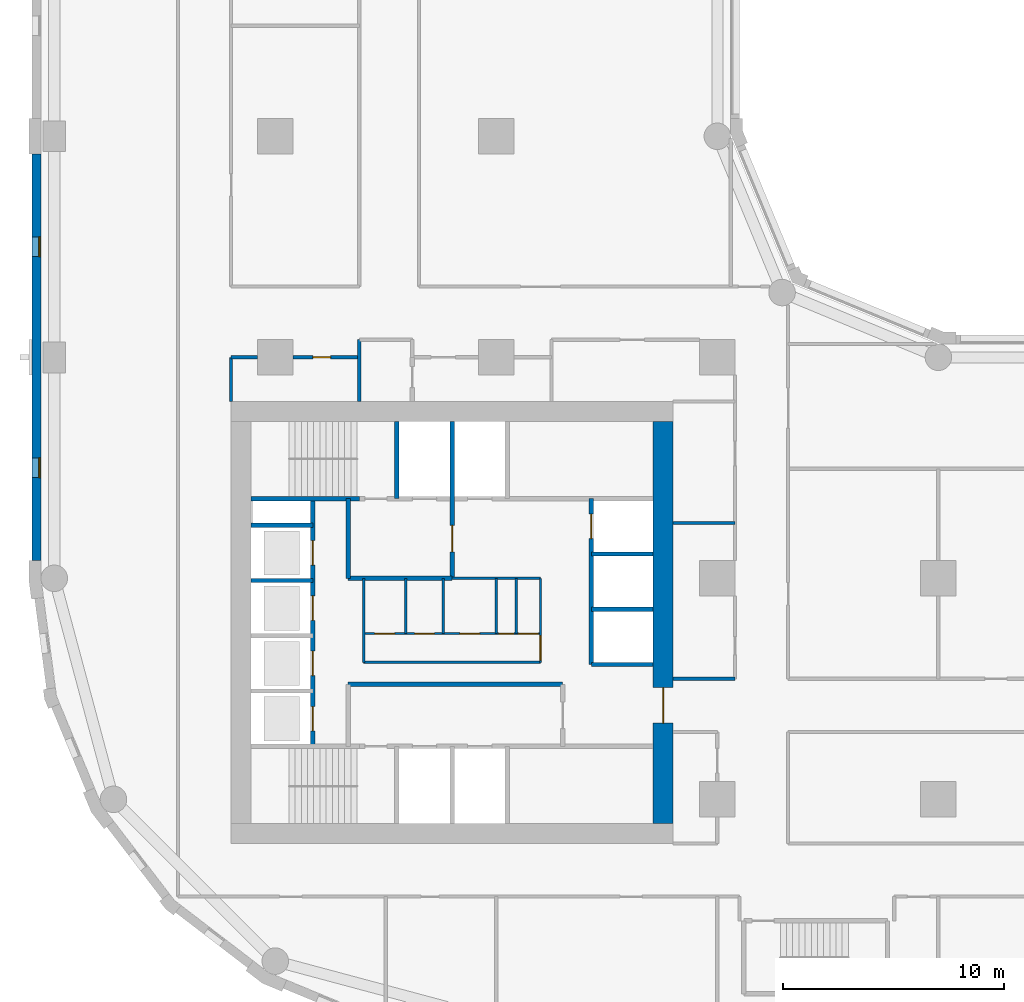
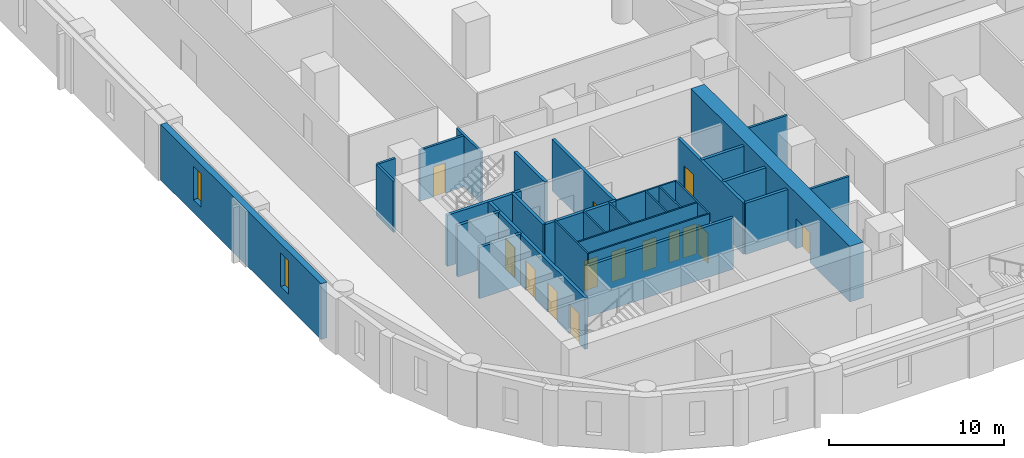
# One storey, part 3 of 11: 30 walls, 14 doors, 2 windows, 16 openings.
"""IFC4 building model written with IfcOpenShell, lengths in metres."""

from ifc_helpers import new_model, si_unit, direction, frame, frame_2d, origin, place, context, subcontext, project, spatial, rectangle, extrude, material, layer, layer_set, type_object, element, fill, save


model = new_model("IFC4")

# Units and contexts
model_context = context("Model", 3, precision=1e-05, world=origin(), true_north=direction((0.0, 1.0)))
body_context = subcontext(model_context, "Body", "Model", "MODEL_VIEW")
ifc_project = project(units=[si_unit("LENGTHUNIT", "METRE"), si_unit("AREAUNIT", "SQUARE_METRE"), si_unit("VOLUMEUNIT", "CUBIC_METRE"), si_unit("PLANEANGLEUNIT", "RADIAN"), si_unit("MASSUNIT", "GRAM", prefix="KILO")], contexts=[model_context])

# Site, building, storey
site_placement = place(None, origin())
site = spatial("IfcSite", under=ifc_project, at=site_placement, CompositionType="ELEMENT")
building_placement = place(site_placement, origin())
building = spatial("IfcBuilding", under=site, at=building_placement, Name="Qaws Garden Tower", CompositionType="ELEMENT")
storey_placement = place(building_placement, frame((0.0, 0.0, 86.10009765625)))
storey = spatial("IfcBuildingStorey", under=building, at=storey_placement, Name="L21", CompositionType="ELEMENT", Elevation=86.10009765625)

# Wall, openings, windows
ifc_material_1 = material(Name="Clay facing brick masonry", Category="masonry")
ifc_layer_1 = layer(ifc_material_1, 0.39990234375)
ifc_layer_set_1 = layer_set([ifc_layer_1], Name="Clay facing brick masonry")
wall_type_1 = type_object("IfcWallType", Name="Brick infill wall 400", PredefinedType="SOLIDWALL", material=ifc_layer_set_1)
wall_1_placement = place(storey_placement, frame((-0.800048828125, 39.199951171875, 0.0), z_axis=(0.0, 0.0, 1.0), x_axis=(0.0, -1.0, 0.0)))
wall_1 = element("IfcWall", 1, at=wall_1_placement, inside=storey, type_object=wall_type_1, Name="E-L21-infill-25", PredefinedType="SOLIDWALL", context=body_context, shape_type="SweptSolid", body=[
    extrude(rectangle(XDim=18.39990234375, YDim=0.39990234375, at=frame_2d((9.199951171875, 0.0))), origin(), (0.0, 0.0, 1.0), 3.89990234375),
])
opening_1_placement = place(wall_1_placement, frame((3.75, 0.0, 0.89990234375)))
opening_1 = element("IfcOpeningElement", 2, at=opening_1_placement, cuts=wall_1, Name="Opening W09", PredefinedType="OPENING", context=body_context, shape_type="SweptSolid", body=[
    extrude(rectangle(XDim=0.89990234375, YDim=2.35009765625, at=frame_2d((0.449951171875, 1.175048828125))), frame((0.0, 0.2099609375, 0.0), z_axis=(0.0, -1.0, 0.0), x_axis=(1.0, 0.0, 0.0)), (0.0, 0.0, 1.0), 0.419921875),
])
opening_2_placement = place(wall_1_placement, frame((13.75, 0.0, 0.89990234375)))
opening_2 = element("IfcOpeningElement", 3, at=opening_2_placement, cuts=wall_1, Name="Opening W09", PredefinedType="OPENING", context=body_context, shape_type="SweptSolid", body=[
    extrude(rectangle(XDim=0.89990234375, YDim=2.35009765625, at=frame_2d((0.449951171875, 1.175048828125))), frame((0.0, 0.2099609375, 0.0), z_axis=(0.0, -1.0, 0.0), x_axis=(1.0, 0.0, 0.0)), (0.0, 0.0, 1.0), 0.419921875),
])
ifc_material_2 = material(Name="Aluminium framed window, clear glazing", Category="aluminium")
window_type = type_object("IfcWindowType", Name="Slit window 900 x 2350", PartitioningType="SINGLE_PANEL", PredefinedType="WINDOW", material=ifc_material_2)
window_1_placement = place(opening_1_placement, origin())
window_1 = element("IfcWindow", 4, at=window_1_placement, inside=storey, type_object=window_type, Name="E-L21-window-25-0", OverallHeight=2.35009765625, OverallWidth=0.89990234375, PartitioningType="SINGLE_PANEL", PredefinedType="WINDOW", context=body_context, shape_type="SweptSolid", body=[
    extrude(rectangle(XDim=0.89990234375, YDim=2.35009765625, at=frame_2d((0.449951171875, 1.175048828125))), frame((0.0, 0.159912109375, 0.0), z_axis=(0.0, -1.0, 0.0), x_axis=(1.0, 0.0, 0.0)), (0.0, 0.0, 1.0), 0.06005859375),
])
fill(opening_1, window_1)
window_2_placement = place(opening_2_placement, origin())
window_2 = element("IfcWindow", 5, at=window_2_placement, inside=storey, type_object=window_type, Name="E-L21-window-26-0", OverallHeight=2.35009765625, OverallWidth=0.89990234375, PartitioningType="SINGLE_PANEL", PredefinedType="WINDOW", context=body_context, shape_type="SweptSolid", body=[
    extrude(rectangle(XDim=0.89990234375, YDim=2.35009765625, at=frame_2d((0.449951171875, 1.175048828125))), frame((0.0, 0.159912109375, 0.0), z_axis=(0.0, -1.0, 0.0), x_axis=(1.0, 0.0, 0.0)), (0.0, 0.0, 1.0), 0.06005859375),
])
fill(opening_2, window_2)

# Wall
ifc_material_3 = material(Name="Plasterboard")
ifc_layer_2 = layer(ifc_material_3, 0.10009765625)
ifc_layer_set_2 = layer_set([ifc_layer_2], Name="Plasterboard")
wall_type_2 = type_object("IfcWallType", Name="Core partition 100", PredefinedType="PARTITIONING", material=ifc_layer_set_2)
wall_2_placement = place(storey_placement, frame((14.0, 16.199951171875, 0.0), z_axis=(0.0, 0.0, 1.0), x_axis=(1.0, 0.0, 0.0)))
element("IfcWall", 6, at=wall_2_placement, inside=storey, type_object=wall_type_2, Name="Core partition", PredefinedType="PARTITIONING", context=body_context, shape_type="SweptSolid", body=[
    extrude(rectangle(XDim=8.0, YDim=0.10009765625, at=frame_2d((4.0, 0.0))), origin(), (0.0, 0.0, 1.0), 3.579833984375),
])

# Wall, openings, doors
wall_3_placement = place(storey_placement, frame((14.0, 17.5, 0.0), z_axis=(0.0, 0.0, 1.0), x_axis=(1.0, 0.0, 0.0)))
wall_3 = element("IfcWall", 7, at=wall_3_placement, inside=storey, type_object=wall_type_2, Name="Core partition", PredefinedType="PARTITIONING", context=body_context, shape_type="SweptSolid", body=[
    extrude(rectangle(XDim=8.0, YDim=0.10009765625, at=frame_2d((4.0, 0.0))), origin(), (0.0, 0.0, 1.0), 3.579833984375),
])
opening_3_placement = place(wall_3_placement, frame((0.5, 0.0, 0.0)))
opening_3 = element("IfcOpeningElement", 8, at=opening_3_placement, cuts=wall_3, Name="Opening WD18", PredefinedType="OPENING", context=body_context, shape_type="SweptSolid", body=[
    extrude(rectangle(XDim=0.89990234375, YDim=2.10009765625, at=frame_2d((0.449951171875, 1.050048828125))), frame((0.0, 0.06005859375, 0.0), z_axis=(0.0, -1.0, 0.0), x_axis=(1.0, 0.0, 0.0)), (0.0, 0.0, 1.0), 0.1201171875),
])
opening_4_placement = place(wall_3_placement, frame((2.300048828125, 0.0, 0.0)))
opening_4 = element("IfcOpeningElement", 9, at=opening_4_placement, cuts=wall_3, Name="Opening WD19", PredefinedType="OPENING", context=body_context, shape_type="SweptSolid", body=[
    extrude(rectangle(XDim=0.89990234375, YDim=2.10009765625, at=frame_2d((0.449951171875, 1.050048828125))), frame((0.0, 0.06005859375, 0.0), z_axis=(0.0, -1.0, 0.0), x_axis=(1.0, 0.0, 0.0)), (0.0, 0.0, 1.0), 0.1201171875),
])
opening_5_placement = place(wall_3_placement, frame((4.35009765625, 0.0, 0.0)))
opening_5 = element("IfcOpeningElement", 10, at=opening_5_placement, cuts=wall_3, Name="Opening WD20", PredefinedType="OPENING", context=body_context, shape_type="SweptSolid", body=[
    extrude(rectangle(XDim=0.89990234375, YDim=2.10009765625, at=frame_2d((0.449951171875, 1.050048828125))), frame((0.0, 0.06005859375, 0.0), z_axis=(0.0, -1.0, 0.0), x_axis=(1.0, 0.0, 0.0)), (0.0, 0.0, 1.0), 0.1201171875),
])
opening_6_placement = place(wall_3_placement, frame((6.10009765625, 0.0, 0.0)))
opening_6 = element("IfcOpeningElement", 11, at=opening_6_placement, cuts=wall_3, Name="Opening XD21", PredefinedType="OPENING", context=body_context, shape_type="SweptSolid", body=[
    extrude(rectangle(XDim=0.699951171875, YDim=2.10009765625, at=frame_2d((0.35009765625, 1.050048828125))), frame((0.0, 0.06005859375, 0.0), z_axis=(0.0, -1.0, 0.0), x_axis=(1.0, 0.0, 0.0)), (0.0, 0.0, 1.0), 0.1201171875),
])
opening_7_placement = place(wall_3_placement, frame((7.0, 0.0, 0.0)))
opening_7 = element("IfcOpeningElement", 12, at=opening_7_placement, cuts=wall_3, Name="Opening WD22", PredefinedType="OPENING", context=body_context, shape_type="SweptSolid", body=[
    extrude(rectangle(XDim=0.89990234375, YDim=2.10009765625, at=frame_2d((0.449951171875, 1.050048828125))), frame((0.0, 0.06005859375, 0.0), z_axis=(0.0, -1.0, 0.0), x_axis=(1.0, 0.0, 0.0)), (0.0, 0.0, 1.0), 0.1201171875),
])
ifc_material_4 = material(Name="Timber", Category="wood")
door_type_1 = type_object("IfcDoorType", Name="Store door 700x2100", OperationType="SINGLE_SWING_LEFT", PredefinedType="DOOR", material=ifc_material_4)
door_1_placement = place(opening_6_placement, origin())
door_1 = element("IfcDoor", 13, at=door_1_placement, inside=storey, type_object=door_type_1, Name="Cleaner's store door", OperationType="SINGLE_SWING_RIGHT", OverallHeight=2.10009765625, OverallWidth=0.699951171875, PredefinedType="DOOR", context=body_context, shape_type="SweptSolid", body=[
    extrude(rectangle(XDim=0.699951171875, YDim=2.10009765625, at=frame_2d((0.35009765625, 1.050048828125))), frame((0.0, 0.02490234375, 0.0), z_axis=(0.0, -1.0, 0.0), x_axis=(1.0, 0.0, 0.0)), (0.0, 0.0, 1.0), 0.050048828125),
])
fill(opening_6, door_1)
ifc_material_5 = material(Name="Timber", Category="wood")
door_type_2 = type_object("IfcDoorType", Name="WC door 900x2100", OperationType="SINGLE_SWING_LEFT", PredefinedType="DOOR", material=ifc_material_5)
door_2_placement = place(opening_3_placement, origin())
door_2 = element("IfcDoor", 14, at=door_2_placement, inside=storey, type_object=door_type_2, Name="Men's WC door", OperationType="SINGLE_SWING_RIGHT", OverallHeight=2.10009765625, OverallWidth=0.89990234375, PredefinedType="DOOR", context=body_context, shape_type="SweptSolid", body=[
    extrude(rectangle(XDim=0.89990234375, YDim=2.10009765625, at=frame_2d((0.449951171875, 1.050048828125))), frame((0.0, 0.02490234375, 0.0), z_axis=(0.0, -1.0, 0.0), x_axis=(1.0, 0.0, 0.0)), (0.0, 0.0, 1.0), 0.050048828125),
])
fill(opening_3, door_2)
door_3_placement = place(opening_4_placement, origin())
door_3 = element("IfcDoor", 15, at=door_3_placement, inside=storey, type_object=door_type_2, Name="Accessible WC door", OperationType="SINGLE_SWING_RIGHT", OverallHeight=2.10009765625, OverallWidth=0.89990234375, PredefinedType="DOOR", context=body_context, shape_type="SweptSolid", body=[
    extrude(rectangle(XDim=0.89990234375, YDim=2.10009765625, at=frame_2d((0.449951171875, 1.050048828125))), frame((0.0, 0.02490234375, 0.0), z_axis=(0.0, -1.0, 0.0), x_axis=(1.0, 0.0, 0.0)), (0.0, 0.0, 1.0), 0.050048828125),
])
fill(opening_4, door_3)
door_4_placement = place(opening_5_placement, origin())
door_4 = element("IfcDoor", 16, at=door_4_placement, inside=storey, type_object=door_type_2, Name="Women's WC door", OperationType="SINGLE_SWING_RIGHT", OverallHeight=2.10009765625, OverallWidth=0.89990234375, PredefinedType="DOOR", context=body_context, shape_type="SweptSolid", body=[
    extrude(rectangle(XDim=0.89990234375, YDim=2.10009765625, at=frame_2d((0.449951171875, 1.050048828125))), frame((0.0, 0.02490234375, 0.0), z_axis=(0.0, -1.0, 0.0), x_axis=(1.0, 0.0, 0.0)), (0.0, 0.0, 1.0), 0.050048828125),
])
fill(opening_5, door_4)
door_5_placement = place(opening_7_placement, origin())
door_5 = element("IfcDoor", 17, at=door_5_placement, inside=storey, type_object=door_type_2, Name="Linen store door", OperationType="SINGLE_SWING_RIGHT", OverallHeight=2.10009765625, OverallWidth=0.89990234375, PredefinedType="DOOR", context=body_context, shape_type="SweptSolid", body=[
    extrude(rectangle(XDim=0.89990234375, YDim=2.10009765625, at=frame_2d((0.449951171875, 1.050048828125))), frame((0.0, 0.02490234375, 0.0), z_axis=(0.0, -1.0, 0.0), x_axis=(1.0, 0.0, 0.0)), (0.0, 0.0, 1.0), 0.050048828125),
])
fill(opening_7, door_5)

# Walls
wall_4_placement = place(storey_placement, frame((18.0, 20.0, 0.0), z_axis=(0.0, 0.0, 1.0), x_axis=(1.0, 0.0, 0.0)))
element("IfcWall", 18, at=wall_4_placement, inside=storey, type_object=wall_type_2, Name="Core partition", PredefinedType="PARTITIONING", context=body_context, shape_type="SweptSolid", body=[
    extrude(rectangle(XDim=4.0, YDim=0.10009765625, at=frame_2d((2.0, 0.0))), origin(), (0.0, 0.0, 1.0), 3.579833984375),
])
wall_5_placement = place(storey_placement, frame((14.0, 16.199951171875, 0.0), z_axis=(0.0, 0.0, 1.0), x_axis=(0.0, 1.0, 0.0)))
element("IfcWall", 19, at=wall_5_placement, inside=storey, type_object=wall_type_2, Name="Core partition", PredefinedType="PARTITIONING", context=body_context, shape_type="SweptSolid", body=[
    extrude(rectangle(XDim=3.800048828125, YDim=0.10009765625, at=frame_2d((1.89990234375, 0.0))), origin(), (0.0, 0.0, 1.0), 3.579833984375),
])
for number, where, z_axis, x_axis, name in (
    (20, (15.89990234375, 17.5, 0.0), (0.0, 0.0, 1.0), (0.0, 1.0, 0.0), "Core partition"),
    (21, (17.60009765625, 17.5, 0.0), (0.0, 0.0, 1.0), (0.0, 1.0, 0.0), "Core partition"),
    (22, (20.0, 17.5, 0.0), (0.0, 0.0, 1.0), (0.0, 1.0, 0.0), "Core partition"),
    (23, (20.89990234375, 17.5, 0.0), (0.0, 0.0, 1.0), (0.0, 1.0, 0.0), "Core partition"),
):
    element("IfcWall", number, at=place(storey_placement, frame(where, z_axis=z_axis, x_axis=x_axis)), inside=storey, type_object=wall_type_2, Name=name, PredefinedType="PARTITIONING", context=body_context, shape_type="SweptSolid", body=[
        extrude(rectangle(XDim=2.5, YDim=0.10009765625, at=frame_2d((1.25, 0.0))), origin(), (0.0, 0.0, 1.0), 3.579833984375),
    ])

# Wall, opening, door
wall_6_placement = place(storey_placement, frame((22.0, 16.199951171875, 0.0), z_axis=(0.0, 0.0, 1.0), x_axis=(0.0, 1.0, 0.0)))
wall_6 = element("IfcWall", 24, at=wall_6_placement, inside=storey, type_object=wall_type_2, Name="Core partition", PredefinedType="PARTITIONING", context=body_context, shape_type="SweptSolid", body=[
    extrude(rectangle(XDim=3.800048828125, YDim=0.10009765625, at=frame_2d((1.89990234375, 0.0))), origin(), (0.0, 0.0, 1.0), 3.579833984375),
])
opening_8_placement = place(wall_6_placement, frame((0.10009765625, 0.0, 0.0)))
opening_8 = element("IfcOpeningElement", 25, at=opening_8_placement, cuts=wall_6, Name="Opening WL17", PredefinedType="OPENING", context=body_context, shape_type="SweptSolid", body=[
    extrude(rectangle(XDim=1.10009765625, YDim=2.10009765625, at=frame_2d((0.550048828125, 1.050048828125))), frame((0.0, 0.06005859375, 0.0), z_axis=(0.0, -1.0, 0.0), x_axis=(1.0, 0.0, 0.0)), (0.0, 0.0, 1.0), 0.1201171875),
])
ifc_material_6 = material(Name="Timber", Category="wood")
door_type_3 = type_object("IfcDoorType", Name="WC lobby door 1100x2100", OperationType="SINGLE_SWING_LEFT", PredefinedType="DOOR", material=ifc_material_6)
door_6_placement = place(opening_8_placement, origin())
door_6 = element("IfcDoor", 26, at=door_6_placement, inside=storey, type_object=door_type_3, Name="WC lobby door", OperationType="SINGLE_SWING_RIGHT", OverallHeight=2.10009765625, OverallWidth=1.10009765625, PredefinedType="DOOR", context=body_context, shape_type="SweptSolid", body=[
    extrude(rectangle(XDim=1.10009765625, YDim=2.10009765625, at=frame_2d((0.550048828125, 1.050048828125))), frame((0.0, 0.02490234375, 0.0), z_axis=(0.0, -1.0, 0.0), x_axis=(1.0, 0.0, 0.0)), (0.0, 0.0, 1.0), 0.050048828125),
])
fill(opening_8, door_6)

# Walls
ifc_material_7 = material(Name="Concrete C80", Category="concrete")
ifc_layer_3 = layer(ifc_material_7, 0.199951171875)
ifc_layer_set_3 = layer_set([ifc_layer_3], Name="Concrete C80")
wall_type_3 = type_object("IfcWallType", Name="Core shaft wall 200 C80", PredefinedType="SHEAR", material=ifc_layer_set_3)
wall_7_placement = place(storey_placement, frame((13.300048828125, 15.199951171875, 0.0), z_axis=(0.0, 0.0, 1.0), x_axis=(1.0, 0.0, 0.0)))
element("IfcWall", 27, at=wall_7_placement, inside=storey, type_object=wall_type_3, Name="Shaft wall", PredefinedType="SHEAR", context=body_context, shape_type="SweptSolid", body=[
    extrude(rectangle(XDim=9.699951171875, YDim=0.199951171875, at=frame_2d((4.85009765625, 0.0))), origin(), (0.0, 0.0, 1.0), 3.579833984375),
])
for number, where, z_axis, x_axis, name in (
    (28, (24.300048828125, 16.10009765625, 0.0), (0.0, 0.0, 1.0), (1.0, 0.0, 0.0), "Shaft wall"),
    (29, (24.300048828125, 18.60009765625, 0.0), (0.0, 0.0, 1.0), (1.0, 0.0, 0.0), "Shaft wall"),
    (30, (8.89990234375, 19.89990234375, 0.0), (0.0, 0.0, 1.0), (1.0, 0.0, 0.0), "Shaft wall"),
):
    element("IfcWall", number, at=place(storey_placement, frame(where, z_axis=z_axis, x_axis=x_axis)), inside=storey, type_object=wall_type_3, Name=name, PredefinedType="SHEAR", context=body_context, shape_type="SweptSolid", body=[
        extrude(rectangle(XDim=2.800048828125, YDim=0.199951171875, at=frame_2d((1.39990234375, 0.0))), origin(), (0.0, 0.0, 1.0), 3.579833984375),
    ])
wall_8_placement = place(storey_placement, frame((13.300048828125, 20.0, 0.0), z_axis=(0.0, 0.0, 1.0), x_axis=(1.0, 0.0, 0.0)))
element("IfcWall", 31, at=wall_8_placement, inside=storey, type_object=wall_type_3, Name="Shaft wall", PredefinedType="SHEAR", context=body_context, shape_type="SweptSolid", body=[
    extrude(rectangle(XDim=4.699951171875, YDim=0.199951171875, at=frame_2d((2.35009765625, 0.0))), origin(), (0.0, 0.0, 1.0), 3.579833984375),
])
for number, where, z_axis, x_axis, name in (
    (32, (24.300048828125, 21.10009765625, 0.0), (0.0, 0.0, 1.0), (1.0, 0.0, 0.0), "Shaft wall"),
    (33, (8.89990234375, 22.39990234375, 0.0), (0.0, 0.0, 1.0), (1.0, 0.0, 0.0), "Shaft wall"),
):
    element("IfcWall", number, at=place(storey_placement, frame(where, z_axis=z_axis, x_axis=x_axis)), inside=storey, type_object=wall_type_3, Name=name, PredefinedType="SHEAR", context=body_context, shape_type="SweptSolid", body=[
        extrude(rectangle(XDim=2.800048828125, YDim=0.199951171875, at=frame_2d((1.39990234375, 0.0))), origin(), (0.0, 0.0, 1.0), 3.579833984375),
    ])
wall_9_placement = place(storey_placement, frame((8.89990234375, 23.60009765625, 0.0), z_axis=(0.0, 0.0, 1.0), x_axis=(1.0, 0.0, 0.0)))
element("IfcWall", 34, at=wall_9_placement, inside=storey, type_object=wall_type_3, Name="Shaft wall", PredefinedType="SHEAR", context=body_context, shape_type="SweptSolid", body=[
    extrude(rectangle(XDim=4.900146484375, YDim=0.199951171875, at=frame_2d((2.4501953125, 0.0))), origin(), (0.0, 0.0, 1.0), 3.579833984375),
])

# Wall, openings, doors
wall_10_placement = place(storey_placement, frame((11.699951171875, 12.39990234375, 0.0), z_axis=(0.0, 0.0, 1.0), x_axis=(0.0, 1.0, 0.0)))
wall_10 = element("IfcWall", 35, at=wall_10_placement, inside=storey, type_object=wall_type_3, Name="Shaft wall", PredefinedType="SHEAR", context=body_context, shape_type="SweptSolid", body=[
    extrude(rectangle(XDim=11.2001953125, YDim=0.199951171875, at=frame_2d((5.60009765625, 0.0))), origin(), (0.0, 0.0, 1.0), 3.579833984375),
])
opening_9_placement = place(wall_10_placement, frame((0.699951171875, 0.0, 0.0)))
opening_9 = element("IfcOpeningElement", 36, at=opening_9_placement, cuts=wall_10, Name="Opening LD01", PredefinedType="OPENING", context=body_context, shape_type="SweptSolid", body=[
    extrude(rectangle(XDim=1.10009765625, YDim=2.10009765625, at=frame_2d((0.550048828125, 1.050048828125))), frame((0.0, 0.10986328125, 0.0), z_axis=(0.0, -1.0, 0.0), x_axis=(1.0, 0.0, 0.0)), (0.0, 0.0, 1.0), 0.219970703125),
])
opening_10_placement = place(wall_10_placement, frame((3.199951171875, 0.0, 0.0)))
opening_10 = element("IfcOpeningElement", 37, at=opening_10_placement, cuts=wall_10, Name="Opening LD02", PredefinedType="OPENING", context=body_context, shape_type="SweptSolid", body=[
    extrude(rectangle(XDim=1.10009765625, YDim=2.10009765625, at=frame_2d((0.550048828125, 1.050048828125))), frame((0.0, 0.10986328125, 0.0), z_axis=(0.0, -1.0, 0.0), x_axis=(1.0, 0.0, 0.0)), (0.0, 0.0, 1.0), 0.219970703125),
])
opening_11_placement = place(wall_10_placement, frame((5.699951171875, 0.0, 0.0)))
opening_11 = element("IfcOpeningElement", 38, at=opening_11_placement, cuts=wall_10, Name="Opening LD03", PredefinedType="OPENING", context=body_context, shape_type="SweptSolid", body=[
    extrude(rectangle(XDim=1.10009765625, YDim=2.10009765625, at=frame_2d((0.550048828125, 1.050048828125))), frame((0.0, 0.10986328125, 0.0), z_axis=(0.0, -1.0, 0.0), x_axis=(1.0, 0.0, 0.0)), (0.0, 0.0, 1.0), 0.219970703125),
])
opening_12_placement = place(wall_10_placement, frame((8.199951171875, 0.0, 0.0)))
opening_12 = element("IfcOpeningElement", 39, at=opening_12_placement, cuts=wall_10, Name="Opening LD04", PredefinedType="OPENING", context=body_context, shape_type="SweptSolid", body=[
    extrude(rectangle(XDim=1.10009765625, YDim=2.10009765625, at=frame_2d((0.550048828125, 1.050048828125))), frame((0.0, 0.10986328125, 0.0), z_axis=(0.0, -1.0, 0.0), x_axis=(1.0, 0.0, 0.0)), (0.0, 0.0, 1.0), 0.219970703125),
])
ifc_material_8 = material(Name="Steel S235", Category="steel")
door_type_4 = type_object("IfcDoorType", Name="Landing door 1100x2100", OperationType="DOUBLE_DOOR_SLIDING", PredefinedType="DOOR", material=ifc_material_8)
door_7_placement = place(opening_9_placement, origin())
door_7 = element("IfcDoor", 40, at=door_7_placement, inside=storey, type_object=door_type_4, Name="Lift W1 landing door", OperationType="DOUBLE_DOOR_SLIDING", OverallHeight=2.10009765625, OverallWidth=1.10009765625, PredefinedType="DOOR", context=body_context, shape_type="SweptSolid", body=[
    extrude(rectangle(XDim=1.10009765625, YDim=2.10009765625, at=frame_2d((0.550048828125, 1.050048828125))), frame((0.0, 0.02490234375, 0.0), z_axis=(0.0, -1.0, 0.0), x_axis=(1.0, 0.0, 0.0)), (0.0, 0.0, 1.0), 0.050048828125),
])
fill(opening_9, door_7)
door_8_placement = place(opening_10_placement, origin())
door_8 = element("IfcDoor", 41, at=door_8_placement, inside=storey, type_object=door_type_4, Name="Lift W2 landing door", OperationType="DOUBLE_DOOR_SLIDING", OverallHeight=2.10009765625, OverallWidth=1.10009765625, PredefinedType="DOOR", context=body_context, shape_type="SweptSolid", body=[
    extrude(rectangle(XDim=1.10009765625, YDim=2.10009765625, at=frame_2d((0.550048828125, 1.050048828125))), frame((0.0, 0.02490234375, 0.0), z_axis=(0.0, -1.0, 0.0), x_axis=(1.0, 0.0, 0.0)), (0.0, 0.0, 1.0), 0.050048828125),
])
fill(opening_10, door_8)
door_9_placement = place(opening_11_placement, origin())
door_9 = element("IfcDoor", 42, at=door_9_placement, inside=storey, type_object=door_type_4, Name="Lift W3 landing door", OperationType="DOUBLE_DOOR_SLIDING", OverallHeight=2.10009765625, OverallWidth=1.10009765625, PredefinedType="DOOR", context=body_context, shape_type="SweptSolid", body=[
    extrude(rectangle(XDim=1.10009765625, YDim=2.10009765625, at=frame_2d((0.550048828125, 1.050048828125))), frame((0.0, 0.02490234375, 0.0), z_axis=(0.0, -1.0, 0.0), x_axis=(1.0, 0.0, 0.0)), (0.0, 0.0, 1.0), 0.050048828125),
])
fill(opening_11, door_9)
door_10_placement = place(opening_12_placement, origin())
door_10 = element("IfcDoor", 43, at=door_10_placement, inside=storey, type_object=door_type_4, Name="Lift W4 landing door", OperationType="DOUBLE_DOOR_SLIDING", OverallHeight=2.10009765625, OverallWidth=1.10009765625, PredefinedType="DOOR", context=body_context, shape_type="SweptSolid", body=[
    extrude(rectangle(XDim=1.10009765625, YDim=2.10009765625, at=frame_2d((0.550048828125, 1.050048828125))), frame((0.0, 0.02490234375, 0.0), z_axis=(0.0, -1.0, 0.0), x_axis=(1.0, 0.0, 0.0)), (0.0, 0.0, 1.0), 0.050048828125),
])
fill(opening_12, door_10)

# Walls
wall_11_placement = place(storey_placement, frame((13.300048828125, 20.0, 0.0), z_axis=(0.0, 0.0, 1.0), x_axis=(0.0, 1.0, 0.0)))
element("IfcWall", 44, at=wall_11_placement, inside=storey, type_object=wall_type_3, Name="Shaft wall", PredefinedType="SHEAR", context=body_context, shape_type="SweptSolid", body=[
    extrude(rectangle(XDim=3.60009765625, YDim=0.199951171875, at=frame_2d((1.800048828125, 0.0))), origin(), (0.0, 0.0, 1.0), 3.579833984375),
])
wall_12_placement = place(storey_placement, frame((15.5, 23.60009765625, 0.0), z_axis=(0.0, 0.0, 1.0), x_axis=(0.0, 1.0, 0.0)))
element("IfcWall", 45, at=wall_12_placement, inside=storey, type_object=wall_type_3, Name="Shaft wall", PredefinedType="SHEAR", context=body_context, shape_type="SweptSolid", body=[
    extrude(rectangle(XDim=3.5, YDim=0.199951171875, at=frame_2d((1.75, 0.0))), origin(), (0.0, 0.0, 1.0), 3.579833984375),
])

# Wall, opening, door
wall_13_placement = place(storey_placement, frame((18.0, 20.0, 0.0), z_axis=(0.0, 0.0, 1.0), x_axis=(0.0, 1.0, 0.0)))
wall_13 = element("IfcWall", 46, at=wall_13_placement, inside=storey, type_object=wall_type_3, Name="Shaft wall", PredefinedType="SHEAR", context=body_context, shape_type="SweptSolid", body=[
    extrude(rectangle(XDim=7.10009765625, YDim=0.199951171875, at=frame_2d((3.550048828125, 0.0))), origin(), (0.0, 0.0, 1.0), 3.579833984375),
])
opening_13_placement = place(wall_13_placement, frame((1.199951171875, 0.0, 0.0)))
opening_13 = element("IfcOpeningElement", 47, at=opening_13_placement, cuts=wall_13, Name="Opening FD16", PredefinedType="OPENING", context=body_context, shape_type="SweptSolid", body=[
    extrude(rectangle(XDim=1.199951171875, YDim=2.10009765625, at=frame_2d((0.60009765625, 1.050048828125))), frame((0.0, 0.10986328125, 0.0), z_axis=(0.0, -1.0, 0.0), x_axis=(1.0, 0.0, 0.0)), (0.0, 0.0, 1.0), 0.219970703125),
])
ifc_material_9 = material(Name="Steel S235", Category="steel")
door_type_5 = type_object("IfcDoorType", Name="Lobby door 1200x2100", OperationType="DOUBLE_DOOR_SINGLE_SWING", PredefinedType="DOOR", material=ifc_material_9)
door_11_placement = place(opening_13_placement, origin())
door_11 = element("IfcDoor", 48, at=door_11_placement, inside=storey, type_object=door_type_5, Name="Fire-fighting lobby door", OperationType="DOUBLE_DOOR_SINGLE_SWING", OverallHeight=2.10009765625, OverallWidth=1.199951171875, PredefinedType="DOOR", context=body_context, shape_type="SweptSolid", body=[
    extrude(rectangle(XDim=1.199951171875, YDim=2.10009765625, at=frame_2d((0.60009765625, 1.050048828125))), frame((0.0, 0.02490234375, 0.0), z_axis=(0.0, -1.0, 0.0), x_axis=(1.0, 0.0, 0.0)), (0.0, 0.0, 1.0), 0.050048828125),
])
fill(opening_13, door_11)

wall_14_placement = place(storey_placement, frame((24.300048828125, 16.10009765625, 0.0), z_axis=(0.0, 0.0, 1.0), x_axis=(0.0, 1.0, 0.0)))
wall_14 = element("IfcWall", 49, at=wall_14_placement, inside=storey, type_object=wall_type_3, Name="Shaft wall", PredefinedType="SHEAR", context=body_context, shape_type="SweptSolid", body=[
    extrude(rectangle(XDim=7.5, YDim=0.199951171875, at=frame_2d((3.75, 0.0))), origin(), (0.0, 0.0, 1.0), 3.579833984375),
])
opening_14_placement = place(wall_14_placement, frame((5.699951171875, 0.0, 0.0)))
opening_14 = element("IfcOpeningElement", 50, at=opening_14_placement, cuts=wall_14, Name="Opening LD05", PredefinedType="OPENING", context=body_context, shape_type="SweptSolid", body=[
    extrude(rectangle(XDim=1.10009765625, YDim=2.10009765625, at=frame_2d((0.550048828125, 1.050048828125))), frame((0.0, 0.10986328125, 0.0), z_axis=(0.0, -1.0, 0.0), x_axis=(1.0, 0.0, 0.0)), (0.0, 0.0, 1.0), 0.219970703125),
])
door_12_placement = place(opening_14_placement, origin())
door_12 = element("IfcDoor", 51, at=door_12_placement, inside=storey, type_object=door_type_4, Name="Lift E3 landing door", OperationType="DOUBLE_DOOR_SLIDING", OverallHeight=2.10009765625, OverallWidth=1.10009765625, PredefinedType="DOOR", context=body_context, shape_type="SweptSolid", body=[
    extrude(rectangle(XDim=1.10009765625, YDim=2.10009765625, at=frame_2d((0.550048828125, 1.050048828125))), frame((0.0, 0.02490234375, 0.0), z_axis=(0.0, -1.0, 0.0), x_axis=(1.0, 0.0, 0.0)), (0.0, 0.0, 1.0), 0.050048828125),
])
fill(opening_14, door_12)

ifc_material_10 = material(Name="Concrete C80", Category="concrete")
ifc_layer_4 = layer(ifc_material_10, 0.89990234375)
ifc_layer_set_4 = layer_set([ifc_layer_4], Name="Concrete C80")
wall_type_4 = type_object("IfcWallType", Name="Core wall 900 C80", PredefinedType="SHEAR", material=ifc_layer_set_4)
wall_15_placement = place(storey_placement, frame((27.550048828125, 8.89990234375, 0.0), z_axis=(0.0, 0.0, 1.0), x_axis=(0.0, 1.0, 0.0)))
wall_15 = element("IfcWall", 52, at=wall_15_placement, inside=storey, type_object=wall_type_4, Name="Core wall L21 east", PredefinedType="SHEAR", context=body_context, shape_type="SweptSolid", body=[
    extrude(rectangle(XDim=18.2001953125, YDim=0.89990234375, at=frame_2d((9.10009765625, 0.0))), origin(), (0.0, 0.0, 1.0), 3.89990234375),
])
opening_15_placement = place(wall_15_placement, frame((4.550048828125, 0.0, 0.0)))
opening_15 = element("IfcOpeningElement", 53, at=opening_15_placement, cuts=wall_15, Name="Opening ED23", PredefinedType="OPENING", context=body_context, shape_type="SweptSolid", body=[
    extrude(rectangle(XDim=1.60009765625, YDim=2.10009765625, at=frame_2d((0.800048828125, 1.050048828125))), frame((0.0, 0.4599609375, 0.0), z_axis=(0.0, -1.0, 0.0), x_axis=(1.0, 0.0, 0.0)), (0.0, 0.0, 1.0), 0.919921875),
])
ifc_material_11 = material(Name="Steel S235", Category="steel")
door_type_6 = type_object("IfcDoorType", Name="Core entrance door 1600x2100", OperationType="DOUBLE_DOOR_SINGLE_SWING", PredefinedType="DOOR", material=ifc_material_11)
door_13_placement = place(opening_15_placement, origin())
door_13 = element("IfcDoor", 54, at=door_13_placement, inside=storey, type_object=door_type_6, Name="Core entrance door", OperationType="DOUBLE_DOOR_SINGLE_SWING", OverallHeight=2.10009765625, OverallWidth=1.60009765625, PredefinedType="DOOR", context=body_context, shape_type="SweptSolid", body=[
    extrude(rectangle(XDim=1.60009765625, YDim=2.10009765625, at=frame_2d((0.800048828125, 1.050048828125))), frame((0.0, 0.02490234375, 0.0), z_axis=(0.0, -1.0, 0.0), x_axis=(1.0, 0.0, 0.0)), (0.0, 0.0, 1.0), 0.050048828125),
])
fill(opening_15, door_13)

# Walls
ifc_material_12 = material(Name="Gypsum board partition")
ifc_layer_5 = layer(ifc_material_12, 0.14990234375)
ifc_layer_set_5 = layer_set([ifc_layer_5], Name="Gypsum board partition")
wall_type_5 = type_object("IfcWallType", Name="PARTITION 150 EI 60", PredefinedType="PARTITIONING", material=ifc_layer_set_5)
wall_16_placement = place(storey_placement, frame((8.0, 28.0, 0.0), z_axis=(0.0, 0.0, 1.0), x_axis=(0.0, 1.0, 0.0)))
element("IfcWall", 55, at=wall_16_placement, inside=storey, type_object=wall_type_5, Name="O-L21-wall-002", PredefinedType="PARTITIONING", context=body_context, shape_type="SweptSolid", body=[
    extrude(rectangle(XDim=2.0, YDim=0.14990234375, at=frame_2d((1.0, 0.0))), origin(), (0.0, 0.0, 1.0), 3.579833984375),
])
for number, where, z_axis, x_axis, name in (
    (56, (13.800048828125, 28.0, 0.0), (0.0, 0.0, 1.0), (0.0, 1.0, 0.0), "O-L21-wall-005"),
    (57, (28.0, 15.449951171875, 0.0), (0.0, 0.0, 1.0), (1.0, 0.0, 0.0), "O-L21-wall-039"),
    (58, (28.0, 22.5, 0.0), (0.0, 0.0, 1.0), (1.0, 0.0, 0.0), "O-L21-wall-041"),
):
    element("IfcWall", number, at=place(storey_placement, frame(where, z_axis=z_axis, x_axis=x_axis)), inside=storey, type_object=wall_type_5, Name=name, PredefinedType="PARTITIONING", context=body_context, shape_type="SweptSolid", body=[
        extrude(rectangle(XDim=2.800048828125, YDim=0.14990234375, at=frame_2d((1.39990234375, 0.0))), origin(), (0.0, 0.0, 1.0), 3.579833984375),
    ])
wall_17_placement = place(storey_placement, frame((8.0, 30.0, 0.0), z_axis=(0.0, 0.0, 1.0), x_axis=(1.0, 0.0, 0.0)))
element("IfcWall", 59, at=wall_17_placement, inside=storey, type_object=wall_type_5, Name="O-L21-wall-044", PredefinedType="PARTITIONING", context=body_context, shape_type="SweptSolid", body=[
    extrude(rectangle(XDim=1.199951171875, YDim=0.14990234375, at=frame_2d((0.60009765625, 0.0))), origin(), (0.0, 0.0, 1.0), 3.579833984375),
])

# Wall, opening, door
wall_18_placement = place(storey_placement, frame((10.800048828125, 30.0, 0.0), z_axis=(0.0, 0.0, 1.0), x_axis=(1.0, 0.0, 0.0)))
wall_18 = element("IfcWall", 60, at=wall_18_placement, inside=storey, type_object=wall_type_5, Name="O-L21-wall-045", PredefinedType="PARTITIONING", context=body_context, shape_type="SweptSolid", body=[
    extrude(rectangle(XDim=3.0, YDim=0.14990234375, at=frame_2d((1.5, 0.0))), origin(), (0.0, 0.0, 1.0), 3.579833984375),
])
opening_16_placement = place(wall_18_placement, frame((0.89990234375, 0.0, 0.0)))
opening_16 = element("IfcOpeningElement", 61, at=opening_16_placement, cuts=wall_18, Name="Opening A709", PredefinedType="OPENING", context=body_context, shape_type="SweptSolid", body=[
    extrude(rectangle(XDim=0.800048828125, YDim=2.10009765625, at=frame_2d((0.39990234375, 1.050048828125))), frame((0.0, 0.0849609375, 0.0), z_axis=(0.0, -1.0, 0.0), x_axis=(1.0, 0.0, 0.0)), (0.0, 0.0, 1.0), 0.169921875),
])
ifc_material_13 = material(Name="Timber door leaf", Category="wood")
door_type_7 = type_object("IfcDoorType", Name="STORE DOOR 800 X 2100", OperationType="SINGLE_SWING_LEFT", PredefinedType="DOOR", material=ifc_material_13)
door_14_placement = place(opening_16_placement, frame((0.800048828125, 0.0, 0.0), z_axis=(0.0, 0.0, 1.0), x_axis=(-1.0, 0.0, 0.0)))
door_14 = element("IfcDoor", 62, at=door_14_placement, inside=storey, type_object=door_type_7, Name="O-L21-door-009", OperationType="SINGLE_SWING_RIGHT", OverallHeight=2.10009765625, OverallWidth=0.800048828125, PredefinedType="DOOR", context=body_context, shape_type="SweptSolid", body=[
    extrude(rectangle(XDim=0.800048828125, YDim=2.10009765625, at=frame_2d((0.39990234375, 1.050048828125))), frame((0.0, 0.02490234375, 0.0), z_axis=(0.0, -1.0, 0.0), x_axis=(1.0, 0.0, 0.0)), (0.0, 0.0, 1.0), 0.050048828125),
])
fill(opening_16, door_14)

save(model, "model.ifc")
